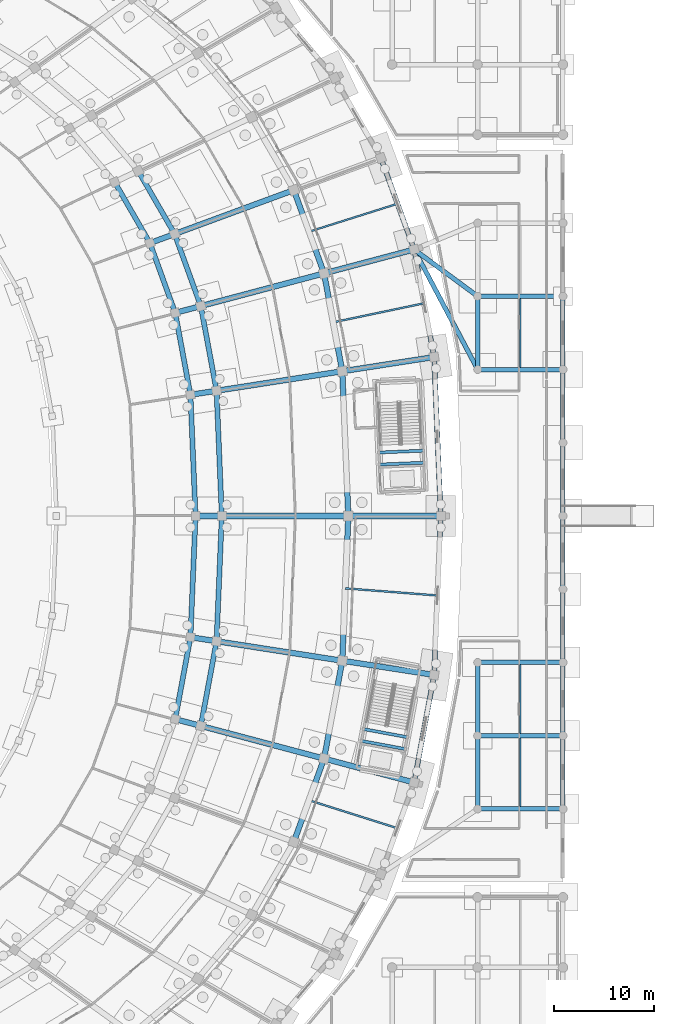
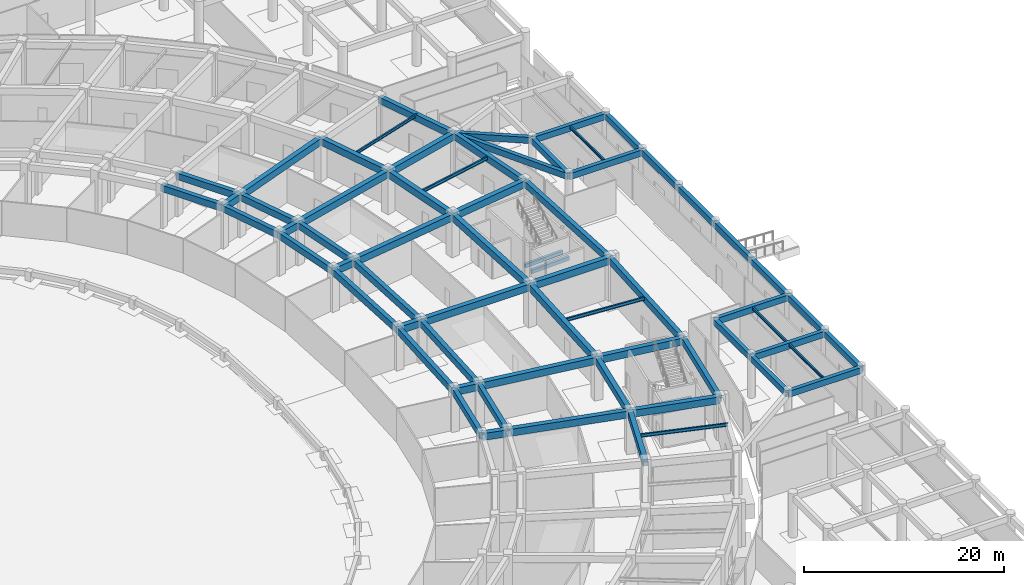
# One storey, part 32 of 88: 68 beams.
"""IFC4 building model written with IfcOpenShell, lengths in metres."""

from ifc_helpers import new_model, si_unit, direction, frame, origin, origin_2d, place, context, subcontext, project, spatial, rectangle, i_section, extrude, material, material_profile, profile_set, type_object, element, save


model = new_model("IFC4")

# Units and contexts
model_context = context("Model", 3, precision=1e-05, world=origin(), true_north=direction((0.0, 1.0)))
body_context = subcontext(model_context, "Body", "Model", "MODEL_VIEW")
ifc_project = project(units=[si_unit("LENGTHUNIT", "METRE"), si_unit("AREAUNIT", "SQUARE_METRE"), si_unit("VOLUMEUNIT", "CUBIC_METRE"), si_unit("PLANEANGLEUNIT", "RADIAN"), si_unit("MASSUNIT", "GRAM", prefix="KILO")], contexts=[model_context])

# Site, building, storey
site_placement = place(None, origin())
site = spatial("IfcSite", under=ifc_project, at=site_placement, CompositionType="ELEMENT")
building_placement = place(site_placement, origin())
building = spatial("IfcBuilding", under=site, at=building_placement, Name="Mphavela Belvedere Stadium", CompositionType="ELEMENT")
storey_placement = place(building_placement, origin())
storey = spatial("IfcBuildingStorey", under=building, at=storey_placement, Name="L00", CompositionType="ELEMENT", Elevation=0.0)

# Beams
ifc_material_1 = material(Name="Steel S355", Category="steel")
ifc_material_profile_1 = material_profile(ifc_material_1, i_section(OverallWidth=0.169921875, OverallDepth=0.360107421875, WebThickness=0.008056640625, FlangeThickness=0.0126953125, at=origin_2d()), Name="IPE 360")
ifc_profile_set_1 = profile_set([ifc_material_profile_1], Name="Steel S355")
beam_type_1 = type_object("IfcBeamType", Name="BM-JOIST-IPE360", PredefinedType="JOIST", material=ifc_profile_set_1)
beam_1_placement = place(storey_placement, frame((204.681640625, 115.3330078125, 4.969970703125), z_axis=(0.953544002003, 0.301253773826, 0.0), x_axis=(-0.301253773826, 0.953544002003, 0.0)))
element("IfcBeam", 1, at=beam_1_placement, inside=storey, type_object=beam_type_1, Name="Concourse floor joist L00-03", PredefinedType="JOIST", context=body_context, shape_type="SweptSolid", body=[
    extrude(i_section(OverallWidth=0.169921875, OverallDepth=0.360107421875, WebThickness=0.008056640625, FlangeThickness=0.0126953125, at=origin_2d()), origin(), (0.0, 0.0, 1.0), 9.259033203125),
])
for number, where, z_axis, x_axis, name in (
    (2, (225.75, 58.02490234375, 4.9599609375), (0.0, 1.0, 0.0), (-1.0, 0.0, 0.0), "East Planted Eaves Peristyle Colonnade secondary joist L00 8-2"),
    (3, (225.75, 65.324951171875, 4.9599609375), (0.0, 1.0, 0.0), (-1.0, 0.0, 0.0), "East Planted Eaves Peristyle Colonnade secondary joist L00 8-3"),
    (4, (225.75, 101.824951171875, 4.9599609375), (0.0, 1.0, 0.0), (-1.0, 0.0, 0.0), "East Planted Eaves Peristyle Colonnade secondary joist L00 8-8"),
):
    element("IfcBeam", number, at=place(storey_placement, frame(where, z_axis=z_axis, x_axis=x_axis)), inside=storey, type_object=beam_type_1, Name=name, PredefinedType="JOIST", context=body_context, shape_type="SweptSolid", body=[
        extrude(i_section(OverallWidth=0.169921875, OverallDepth=0.360107421875, WebThickness=0.008056640625, FlangeThickness=0.0126953125, at=origin_2d()), origin(), (0.0, 0.0, 1.0), 6.85009765625),
    ])
ifc_material_2 = material(Name="Steel S355", Category="steel")
ifc_material_profile_2 = material_profile(ifc_material_2, i_section(OverallWidth=0.179931640625, OverallDepth=0.39990234375, WebThickness=0.008544921875, FlangeThickness=0.013427734375, at=origin_2d()), Name="IPE 400")
ifc_profile_set_2 = profile_set([ifc_material_profile_2], Name="Steel S355")
beam_type_2 = type_object("IfcBeamType", Name="BM-JOIST-IPE400", PredefinedType="JOIST", material=ifc_profile_set_2)
beam_2_placement = place(storey_placement, frame((207.09375, 106.303466796875, 4.949951171875), z_axis=(0.978734790431, 0.205129739435, 0.0), x_axis=(-0.205129739435, 0.978734790431, 0.0)))
element("IfcBeam", 5, at=beam_2_placement, inside=storey, type_object=beam_type_2, Name="Concourse floor joist L00-02", PredefinedType="JOIST", context=body_context, shape_type="SweptSolid", body=[
    extrude(i_section(OverallWidth=0.179931640625, OverallDepth=0.39990234375, WebThickness=0.008544921875, FlangeThickness=0.013427734375, at=origin_2d()), origin(), (0.0, 0.0, 1.0), 9.26318359375),
])
beam_3_placement = place(storey_placement, frame((204.681640625, 58.6669921875, 4.949951171875), z_axis=(0.953544002003, -0.301253773826, 0.0), x_axis=(0.301253773826, 0.953544002003, 0.0)))
element("IfcBeam", 6, at=beam_3_placement, inside=storey, type_object=beam_type_2, Name="Concourse floor joist L00-46", PredefinedType="JOIST", context=body_context, shape_type="SweptSolid", body=[
    extrude(i_section(OverallWidth=0.179931640625, OverallDepth=0.39990234375, WebThickness=0.008544921875, FlangeThickness=0.013427734375, at=origin_2d()), origin(), (0.0, 0.0, 1.0), 9.259033203125),
])
beam_4_placement = place(storey_placement, frame((208.302490234375, 79.78759765625, 4.949951171875), z_axis=(0.997024166372, -0.077089634, 0.0), x_axis=(0.077089634, 0.997024166372, 0.0)))
element("IfcBeam", 7, at=beam_4_placement, inside=storey, type_object=beam_type_2, Name="Concourse floor joist L00-48", PredefinedType="JOIST", context=body_context, shape_type="SweptSolid", body=[
    extrude(i_section(OverallWidth=0.179931640625, OverallDepth=0.39990234375, WebThickness=0.008544921875, FlangeThickness=0.013427734375, at=origin_2d()), origin(), (0.0, 0.0, 1.0), 9.212646484375),
])
ifc_material_3 = material(Name="Concrete C40/50", Category="concrete")
ifc_material_profile_3 = material_profile(ifc_material_3, rectangle(XDim=0.300048828125, YDim=0.449951171875, at=origin_2d()), Name="RC 300x450")
ifc_profile_set_3 = profile_set([ifc_material_profile_3], Name="Concrete C40/50")
beam_type_3 = type_object("IfcBeamType", Name="BM-RC300x450", PredefinedType="BEAM", material=ifc_profile_set_3)
for number, where, z_axis, x_axis, name in (
    (8, (211.632080078125, 93.325439453125, 2.27490234375), (0.999122153252, 0.04189179968, 0.0), (-0.04189179968, 0.999122153252, 0.0), "Core C01 landing trimmer beam L00-1"),
    (9, (211.682373046875, 92.12646484375, 2.27490234375), (0.999122153252, 0.04189179968, 0.0), (-0.04189179968, 0.999122153252, 0.0), "Core C01 landing trimmer beam L00-2"),
    (10, (210.11376953125, 65.7646484375, 2.27490234375), (0.9831891563, -0.182589931088, 0.0), (0.182589931088, 0.9831891563, 0.0), "Core C12 landing trimmer beam L00-1"),
    (11, (209.894775390625, 64.584716796875, 2.27490234375), (0.983198960132, -0.182537132646, 0.0), (0.182537132646, 0.983198960132, 0.0), "Core C12 landing trimmer beam L00-2"),
):
    element("IfcBeam", number, at=place(storey_placement, frame(where, z_axis=z_axis, x_axis=x_axis)), inside=storey, type_object=beam_type_3, Name=name, PredefinedType="BEAM", context=body_context, shape_type="SweptSolid", body=[
        extrude(rectangle(XDim=0.300048828125, YDim=0.449951171875, at=origin_2d()), origin(), (0.0, 0.0, 1.0), 4.469970703125),
    ])
ifc_material_4 = material(Name="Concrete C40/50", Category="concrete")
ifc_material_profile_4 = material_profile(ifc_material_4, rectangle(XDim=0.449951171875, YDim=0.75, at=origin_2d()), Name="RC 450x750")
ifc_profile_set_4 = profile_set([ifc_material_profile_4], Name="Concrete C40/50")
beam_type_4 = type_object("IfcBeamType", Name="BM-RC450x750", PredefinedType="BEAM", material=ifc_profile_set_4)
beam_5_placement = place(storey_placement, frame((221.5, 57.800048828125, 4.764892578125), z_axis=(1.0, 0.0, 0.0), x_axis=(0.0, 1.0, 0.0)))
element("IfcBeam", 12, at=beam_5_placement, inside=storey, type_object=beam_type_4, Name="East Planted Eaves Peristyle Colonnade entablature beam X L00 8-2", PredefinedType="BEAM", context=body_context, shape_type="SweptSolid", body=[
    extrude(rectangle(XDim=0.449951171875, YDim=0.75, at=origin_2d()), origin(), (0.0, 0.0, 1.0), 8.5),
])
beam_6_placement = place(storey_placement, frame((221.5, 57.800048828125, 4.764892578125), z_axis=(0.0, 1.0, 0.0), x_axis=(-1.0, 0.0, 0.0)))
element("IfcBeam", 13, at=beam_6_placement, inside=storey, type_object=beam_type_4, Name="East Planted Eaves Peristyle Colonnade entablature beam Y L00 8-2", PredefinedType="BEAM", context=body_context, shape_type="SweptSolid", body=[
    extrude(rectangle(XDim=0.449951171875, YDim=0.75, at=origin_2d()), origin(), (0.0, 0.0, 1.0), 7.300048828125),
])
beam_7_placement = place(storey_placement, frame((221.5, 65.10009765625, 4.764892578125), z_axis=(1.0, 0.0, 0.0), x_axis=(0.0, 1.0, 0.0)))
element("IfcBeam", 14, at=beam_7_placement, inside=storey, type_object=beam_type_4, Name="East Planted Eaves Peristyle Colonnade entablature beam X L00 8-3", PredefinedType="BEAM", context=body_context, shape_type="SweptSolid", body=[
    extrude(rectangle(XDim=0.449951171875, YDim=0.75, at=origin_2d()), origin(), (0.0, 0.0, 1.0), 8.5),
])
beam_8_placement = place(storey_placement, frame((221.5, 65.10009765625, 4.764892578125), z_axis=(0.0, 1.0, 0.0), x_axis=(-1.0, 0.0, 0.0)))
element("IfcBeam", 15, at=beam_8_placement, inside=storey, type_object=beam_type_4, Name="East Planted Eaves Peristyle Colonnade entablature beam Y L00 8-3", PredefinedType="BEAM", context=body_context, shape_type="SweptSolid", body=[
    extrude(rectangle(XDim=0.449951171875, YDim=0.75, at=origin_2d()), origin(), (0.0, 0.0, 1.0), 7.2998046875),
])
for number, where, z_axis, x_axis, name in (
    (16, (221.5, 72.39990234375, 4.764892578125), (1.0, 0.0, 0.0), (0.0, 1.0, 0.0), "East Planted Eaves Peristyle Colonnade entablature beam X L00 8-4"),
    (17, (221.5, 101.60009765625, 4.764892578125), (1.0, 0.0, 0.0), (0.0, 1.0, 0.0), "East Planted Eaves Peristyle Colonnade entablature beam X L00 8-8"),
):
    element("IfcBeam", number, at=place(storey_placement, frame(where, z_axis=z_axis, x_axis=x_axis)), inside=storey, type_object=beam_type_4, Name=name, PredefinedType="BEAM", context=body_context, shape_type="SweptSolid", body=[
        extrude(rectangle(XDim=0.449951171875, YDim=0.75, at=origin_2d()), origin(), (0.0, 0.0, 1.0), 8.5),
    ])
beam_9_placement = place(storey_placement, frame((221.5, 101.60009765625, 4.764892578125), z_axis=(0.0, 1.0, 0.0), x_axis=(-1.0, 0.0, 0.0)))
element("IfcBeam", 18, at=beam_9_placement, inside=storey, type_object=beam_type_4, Name="East Planted Eaves Peristyle Colonnade entablature beam Y L00 8-8", PredefinedType="BEAM", context=body_context, shape_type="SweptSolid", body=[
    extrude(rectangle(XDim=0.449951171875, YDim=0.75, at=origin_2d()), origin(), (0.0, 0.0, 1.0), 7.2998046875),
])
beam_10_placement = place(storey_placement, frame((221.5, 108.89990234375, 4.764892578125), z_axis=(1.0, 0.0, 0.0), x_axis=(0.0, 1.0, 0.0)))
element("IfcBeam", 19, at=beam_10_placement, inside=storey, type_object=beam_type_4, Name="East Planted Eaves Peristyle Colonnade entablature beam X L00 8-9", PredefinedType="BEAM", context=body_context, shape_type="SweptSolid", body=[
    extrude(rectangle(XDim=0.449951171875, YDim=0.75, at=origin_2d()), origin(), (0.0, 0.0, 1.0), 8.5),
])
beam_11_placement = place(storey_placement, frame((230.0, 57.800048828125, 4.764892578125), z_axis=(0.0, 1.0, 0.0), x_axis=(-1.0, 0.0, 0.0)))
element("IfcBeam", 20, at=beam_11_placement, inside=storey, type_object=beam_type_4, Name="East Planted Eaves Peristyle Colonnade entablature beam Y L00 9-2", PredefinedType="BEAM", context=body_context, shape_type="SweptSolid", body=[
    extrude(rectangle(XDim=0.449951171875, YDim=0.75, at=origin_2d()), origin(), (0.0, 0.0, 1.0), 7.300048828125),
])
beam_12_placement = place(storey_placement, frame((230.0, 65.10009765625, 4.764892578125), z_axis=(0.0, 1.0, 0.0), x_axis=(-1.0, 0.0, 0.0)))
element("IfcBeam", 21, at=beam_12_placement, inside=storey, type_object=beam_type_4, Name="East Planted Eaves Peristyle Colonnade entablature beam Y L00 9-3", PredefinedType="BEAM", context=body_context, shape_type="SweptSolid", body=[
    extrude(rectangle(XDim=0.449951171875, YDim=0.75, at=origin_2d()), origin(), (0.0, 0.0, 1.0), 7.2998046875),
])
for number, where, z_axis, x_axis, name in (
    (22, (230.0, 72.39990234375, 4.764892578125), (0.0, 1.0, 0.0), (-1.0, 0.0, 0.0), "East Planted Eaves Peristyle Colonnade entablature beam Y L00 9-4"),
    (23, (230.0, 79.699951171875, 4.764892578125), (0.0, 1.0, 0.0), (-1.0, 0.0, 0.0), "East Planted Eaves Peristyle Colonnade entablature beam Y L00 9-5"),
    (24, (230.0, 87.0, 4.764892578125), (0.0, 1.0, 0.0), (-1.0, 0.0, 0.0), "East Planted Eaves Peristyle Colonnade entablature beam Y L00 9-6"),
    (25, (230.0, 94.300048828125, 4.764892578125), (0.0, 1.0, 0.0), (-1.0, 0.0, 0.0), "East Planted Eaves Peristyle Colonnade entablature beam Y L00 9-7"),
):
    element("IfcBeam", number, at=place(storey_placement, frame(where, z_axis=z_axis, x_axis=x_axis)), inside=storey, type_object=beam_type_4, Name=name, PredefinedType="BEAM", context=body_context, shape_type="SweptSolid", body=[
        extrude(rectangle(XDim=0.449951171875, YDim=0.75, at=origin_2d()), origin(), (0.0, 0.0, 1.0), 7.300048828125),
    ])
beam_13_placement = place(storey_placement, frame((230.0, 101.60009765625, 4.764892578125), z_axis=(0.0, 1.0, 0.0), x_axis=(-1.0, 0.0, 0.0)))
element("IfcBeam", 26, at=beam_13_placement, inside=storey, type_object=beam_type_4, Name="East Planted Eaves Peristyle Colonnade entablature beam Y L00 9-8", PredefinedType="BEAM", context=body_context, shape_type="SweptSolid", body=[
    extrude(rectangle(XDim=0.449951171875, YDim=0.75, at=origin_2d()), origin(), (0.0, 0.0, 1.0), 7.2998046875),
])
beam_14_placement = place(storey_placement, frame((221.5, 101.60009765625, 4.764892578125), z_axis=(-0.468026930874, 0.883714202657, 0.0), x_axis=(-0.883714202657, -0.468026930874, 0.0)))
element("IfcBeam", 27, at=beam_14_placement, inside=storey, type_object=beam_type_4, Name="East Planted Eaves Peristyle Colonnade bowl link girder L00-2", PredefinedType="BEAM", context=body_context, shape_type="SweptSolid", body=[
    extrude(rectangle(XDim=0.449951171875, YDim=0.75, at=origin_2d()), origin(), (0.0, 0.0, 1.0), 13.53662109375),
])
beam_15_placement = place(storey_placement, frame((221.5, 108.89990234375, 4.764892578125), z_axis=(-0.805397383999, 0.592735230814, 0.0), x_axis=(-0.592735230814, -0.805397383999, 0.0)))
element("IfcBeam", 28, at=beam_15_placement, inside=storey, type_object=beam_type_4, Name="East Planted Eaves Peristyle Colonnade bowl link girder L00-4", PredefinedType="BEAM", context=body_context, shape_type="SweptSolid", body=[
    extrude(rectangle(XDim=0.449951171875, YDim=0.75, at=origin_2d()), origin(), (0.0, 0.0, 1.0), 7.8662109375),
])
ifc_material_5 = material(Name="Concrete C40/50", Category="concrete")
ifc_material_profile_5 = material_profile(ifc_material_5, rectangle(XDim=0.5, YDim=0.800048828125, at=origin_2d()), Name="RC 500x800")
ifc_profile_set_5 = profile_set([ifc_material_profile_5], Name="Concrete C40/50")
beam_type_5 = type_object("IfcBeamType", Name="BM-RC500x800", PredefinedType="BEAM", material=ifc_profile_set_5)
beam_16_placement = place(storey_placement, frame((193.3759765625, 87.0, 4.75), z_axis=(-0.041906072647, 0.999121554705, 0.0), x_axis=(-0.999121554705, -0.041906072647, 0.0)))
element("IfcBeam", 29, at=beam_16_placement, inside=storey, type_object=beam_type_5, Name="Circumferential girder L00 R1-01", PredefinedType="BEAM", context=body_context, shape_type="SweptSolid", body=[
    extrude(rectangle(XDim=0.5, YDim=0.800048828125, at=origin_2d()), origin(), (0.0, 0.0, 1.0), 12.088623046875),
])
beam_17_placement = place(storey_placement, frame((195.9951171875, 87.0, 4.75), z_axis=(-0.04191911123, 0.999121007743, 0.0), x_axis=(-0.999121007743, -0.04191911123, 0.0)))
element("IfcBeam", 30, at=beam_17_placement, inside=storey, type_object=beam_type_5, Name="Circumferential girder L00 R2-01", PredefinedType="BEAM", context=body_context, shape_type="SweptSolid", body=[
    extrude(rectangle(XDim=0.5, YDim=0.800048828125, at=origin_2d()), origin(), (0.0, 0.0, 1.0), 12.49267578125),
])
beam_18_placement = place(storey_placement, frame((192.869384765625, 99.078125, 4.75), z_axis=(-0.182638448973, 0.983180144712, 0.0), x_axis=(-0.983180144712, -0.182638448973, 0.0)))
element("IfcBeam", 31, at=beam_18_placement, inside=storey, type_object=beam_type_5, Name="Circumferential girder L00 R1-02", PredefinedType="BEAM", context=body_context, shape_type="SweptSolid", body=[
    extrude(rectangle(XDim=0.5, YDim=0.800048828125, at=origin_2d()), origin(), (0.0, 0.0, 1.0), 8.30908203125),
])
beam_19_placement = place(storey_placement, frame((195.471435546875, 99.481689453125, 4.75), z_axis=(-0.182614573179, 0.983184579651, 0.0), x_axis=(-0.983184579651, -0.182614573179, 0.0)))
element("IfcBeam", 32, at=beam_19_placement, inside=storey, type_object=beam_type_5, Name="Circumferential girder L00 R2-02", PredefinedType="BEAM", context=body_context, shape_type="SweptSolid", body=[
    extrude(rectangle(XDim=0.5, YDim=0.800048828125, at=origin_2d()), origin(), (0.0, 0.0, 1.0), 8.5869140625),
])
beam_20_placement = place(storey_placement, frame((191.351806640625, 107.24755859375, 4.75), z_axis=(-0.341037858277, 0.940049562109, 0.0), x_axis=(-0.940049562109, -0.341037858277, 0.0)))
element("IfcBeam", 33, at=beam_20_placement, inside=storey, type_object=beam_type_5, Name="Circumferential girder L00 R1-03", PredefinedType="BEAM", context=body_context, shape_type="SweptSolid", body=[
    extrude(rectangle(XDim=0.5, YDim=0.800048828125, at=origin_2d()), origin(), (0.0, 0.0, 1.0), 7.39501953125),
])
beam_21_placement = place(storey_placement, frame((193.9033203125, 107.92431640625, 4.75), z_axis=(-0.341037560831, 0.940049670019, 0.0), x_axis=(-0.940049670019, -0.341037560831, 0.0)))
element("IfcBeam", 34, at=beam_21_placement, inside=storey, type_object=beam_type_5, Name="Circumferential girder L00 R2-03", PredefinedType="BEAM", context=body_context, shape_type="SweptSolid", body=[
    extrude(rectangle(XDim=0.5, YDim=0.800048828125, at=origin_2d()), origin(), (0.0, 0.0, 1.0), 7.64208984375),
])
beam_22_placement = place(storey_placement, frame((188.829833984375, 114.19921875, 4.75), z_axis=(-0.500559513075, 0.86570212768, 0.0), x_axis=(-0.86570212768, -0.500559513075, 0.0)))
element("IfcBeam", 35, at=beam_22_placement, inside=storey, type_object=beam_type_5, Name="Circumferential girder L00 R1-04", PredefinedType="BEAM", context=body_context, shape_type="SweptSolid", body=[
    extrude(rectangle(XDim=0.5, YDim=0.800048828125, at=origin_2d()), origin(), (0.0, 0.0, 1.0), 7.02587890625),
])
beam_23_placement = place(storey_placement, frame((191.297119140625, 115.108154296875, 4.75), z_axis=(-0.500568314135, 0.86569703874, 0.0), x_axis=(-0.86569703874, -0.500568314135, 0.0)))
element("IfcBeam", 36, at=beam_23_placement, inside=storey, type_object=beam_type_5, Name="Circumferential girder L00 R2-04", PredefinedType="BEAM", context=body_context, shape_type="SweptSolid", body=[
    extrude(rectangle(XDim=0.5, YDim=0.800048828125, at=origin_2d()), origin(), (0.0, 0.0, 1.0), 7.2607421875),
])
beam_24_placement = place(storey_placement, frame((191.351806640625, 66.75244140625, 4.75), z_axis=(0.182638448973, 0.983180144712, 0.0), x_axis=(-0.983180144712, 0.182638448973, 0.0)))
element("IfcBeam", 37, at=beam_24_placement, inside=storey, type_object=beam_type_5, Name="Circumferential girder L00 R1-47", PredefinedType="BEAM", context=body_context, shape_type="SweptSolid", body=[
    extrude(rectangle(XDim=0.5, YDim=0.800048828125, at=origin_2d()), origin(), (0.0, 0.0, 1.0), 8.30908203125),
])
beam_25_placement = place(storey_placement, frame((193.9033203125, 66.07568359375, 4.75), z_axis=(0.182614573179, 0.983184579651, 0.0), x_axis=(-0.983184579651, 0.182614573179, 0.0)))
element("IfcBeam", 38, at=beam_25_placement, inside=storey, type_object=beam_type_5, Name="Circumferential girder L00 R2-47", PredefinedType="BEAM", context=body_context, shape_type="SweptSolid", body=[
    extrude(rectangle(XDim=0.5, YDim=0.800048828125, at=origin_2d()), origin(), (0.0, 0.0, 1.0), 8.5869140625),
])
beam_26_placement = place(storey_placement, frame((192.869384765625, 74.921875, 4.75), z_axis=(0.041906072647, 0.999121554705, 0.0), x_axis=(-0.999121554705, 0.041906072647, 0.0)))
element("IfcBeam", 39, at=beam_26_placement, inside=storey, type_object=beam_type_5, Name="Circumferential girder L00 R1-48", PredefinedType="BEAM", context=body_context, shape_type="SweptSolid", body=[
    extrude(rectangle(XDim=0.5, YDim=0.800048828125, at=origin_2d()), origin(), (0.0, 0.0, 1.0), 12.088623046875),
])
beam_27_placement = place(storey_placement, frame((195.471435546875, 74.518310546875, 4.75), z_axis=(0.04191911123, 0.999121007743, 0.0), x_axis=(-0.999121007743, 0.04191911123, 0.0)))
element("IfcBeam", 40, at=beam_27_placement, inside=storey, type_object=beam_type_5, Name="Circumferential girder L00 R2-48", PredefinedType="BEAM", context=body_context, shape_type="SweptSolid", body=[
    extrude(rectangle(XDim=0.5, YDim=0.800048828125, at=origin_2d()), origin(), (0.0, 0.0, 1.0), 12.49267578125),
])
ifc_material_6 = material(Name="Concrete C40/50", Category="concrete")
ifc_material_profile_6 = material_profile(ifc_material_6, rectangle(XDim=0.550048828125, YDim=0.85009765625, at=origin_2d()), Name="RC 550x850")
ifc_profile_set_6 = profile_set([ifc_material_profile_6], Name="Concrete C40/50")
beam_type_6 = type_object("IfcBeamType", Name="BM-RC550x850", PredefinedType="BEAM", material=ifc_profile_set_6)
beam_28_placement = place(storey_placement, frame((208.60498046875, 87.0, 4.72509765625), z_axis=(-0.041903450766, 0.99912166467, 0.0), x_axis=(-0.99912166467, -0.041903450766, 0.0)))
element("IfcBeam", 41, at=beam_28_placement, inside=storey, type_object=beam_type_6, Name="Circumferential girder L00 R3-01", PredefinedType="BEAM", context=body_context, shape_type="SweptSolid", body=[
    extrude(rectangle(XDim=0.550048828125, YDim=0.85009765625, at=origin_2d()), origin(), (0.0, 0.0, 1.0), 14.4375),
])
beam_29_placement = place(storey_placement, frame((193.3759765625, 87.0, 4.72509765625), z_axis=(1.0, 0.0, 0.0), x_axis=(0.0, 1.0, 0.0)))
element("IfcBeam", 42, at=beam_29_placement, inside=storey, type_object=beam_type_6, Name="Radial concourse girder L00 R1R2-01", PredefinedType="BEAM", context=body_context, shape_type="SweptSolid", body=[
    extrude(rectangle(XDim=0.550048828125, YDim=0.85009765625, at=origin_2d()), origin(), (0.0, 0.0, 1.0), 2.619140625),
])
beam_30_placement = place(storey_placement, frame((195.9951171875, 87.0, 4.72509765625), z_axis=(1.0, 0.0, 0.0), x_axis=(0.0, 1.0, 0.0)))
element("IfcBeam", 43, at=beam_30_placement, inside=storey, type_object=beam_type_6, Name="Radial concourse girder L00 R2R3-01", PredefinedType="BEAM", context=body_context, shape_type="SweptSolid", body=[
    extrude(rectangle(XDim=0.550048828125, YDim=0.85009765625, at=origin_2d()), origin(), (0.0, 0.0, 1.0), 12.60986328125),
])
beam_31_placement = place(storey_placement, frame((208.60498046875, 87.0, 4.72509765625), z_axis=(1.0, 0.0, 0.0), x_axis=(0.0, 1.0, 0.0)))
element("IfcBeam", 44, at=beam_31_placement, inside=storey, type_object=beam_type_6, Name="Radial concourse girder L00 R3R4-01", PredefinedType="BEAM", context=body_context, shape_type="SweptSolid", body=[
    extrude(rectangle(XDim=0.550048828125, YDim=0.85009765625, at=origin_2d()), origin(), (0.0, 0.0, 1.0), 9.215087890625),
])
beam_32_placement = place(storey_placement, frame((208.0, 101.4248046875, 4.72509765625), z_axis=(-0.182638056683, 0.983180217585, 0.0), x_axis=(-0.983180217585, -0.182638056683, 0.0)))
element("IfcBeam", 45, at=beam_32_placement, inside=storey, type_object=beam_type_6, Name="Circumferential girder L00 R3-02", PredefinedType="BEAM", context=body_context, shape_type="SweptSolid", body=[
    extrude(rectangle(XDim=0.550048828125, YDim=0.85009765625, at=origin_2d()), origin(), (0.0, 0.0, 1.0), 9.924072265625),
])
beam_33_placement = place(storey_placement, frame((192.869384765625, 99.078125, 4.72509765625), z_axis=(0.988185527241, 0.153262401626, 0.0), x_axis=(-0.153262401626, 0.988185527241, 0.0)))
element("IfcBeam", 46, at=beam_33_placement, inside=storey, type_object=beam_type_6, Name="Radial concourse girder L00 R1R2-02", PredefinedType="BEAM", context=body_context, shape_type="SweptSolid", body=[
    extrude(rectangle(XDim=0.550048828125, YDim=0.85009765625, at=origin_2d()), origin(), (0.0, 0.0, 1.0), 2.633056640625),
])
beam_34_placement = place(storey_placement, frame((195.471435546875, 99.481689453125, 4.72509765625), z_axis=(0.988185521494, 0.153262438677, 0.0), x_axis=(-0.153262438677, 0.988185521494, 0.0)))
element("IfcBeam", 47, at=beam_34_placement, inside=storey, type_object=beam_type_6, Name="Radial concourse girder L00 R2R3-02", PredefinedType="BEAM", context=body_context, shape_type="SweptSolid", body=[
    extrude(rectangle(XDim=0.550048828125, YDim=0.85009765625, at=origin_2d()), origin(), (0.0, 0.0, 1.0), 12.678466796875),
])
beam_35_placement = place(storey_placement, frame((208.0, 101.4248046875, 4.72509765625), z_axis=(0.988182369303, 0.153282761586, 0.0), x_axis=(-0.153282761586, 0.988182369303, 0.0)))
element("IfcBeam", 48, at=beam_35_placement, inside=storey, type_object=beam_type_6, Name="Radial concourse girder L00 R3R4-02", PredefinedType="BEAM", context=body_context, shape_type="SweptSolid", body=[
    extrude(rectangle(XDim=0.550048828125, YDim=0.85009765625, at=origin_2d()), origin(), (0.0, 0.0, 1.0), 9.264892578125),
])
beam_36_placement = place(storey_placement, frame((206.1875, 111.181884765625, 4.72509765625), z_axis=(-0.341030504348, 0.940052229987, 0.0), x_axis=(-0.940052229987, -0.341030504348, 0.0)))
element("IfcBeam", 49, at=beam_36_placement, inside=storey, type_object=beam_type_6, Name="Circumferential girder L00 R3-03", PredefinedType="BEAM", context=body_context, shape_type="SweptSolid", body=[
    extrude(rectangle(XDim=0.550048828125, YDim=0.85009765625, at=origin_2d()), origin(), (0.0, 0.0, 1.0), 8.83203125),
])
beam_37_placement = place(storey_placement, frame((191.351806640625, 107.24755859375, 4.72509765625), z_axis=(0.966577929986, 0.25637298076, 0.0), x_axis=(-0.25637298076, 0.966577929986, 0.0)))
element("IfcBeam", 50, at=beam_37_placement, inside=storey, type_object=beam_type_6, Name="Radial concourse girder L00 R1R2-03", PredefinedType="BEAM", context=body_context, shape_type="SweptSolid", body=[
    extrude(rectangle(XDim=0.550048828125, YDim=0.85009765625, at=origin_2d()), origin(), (0.0, 0.0, 1.0), 2.6396484375),
])
beam_38_placement = place(storey_placement, frame((193.9033203125, 107.92431640625, 4.72509765625), z_axis=(0.966590800726, 0.256324450554, 0.0), x_axis=(-0.256324450554, 0.966590800726, 0.0)))
element("IfcBeam", 51, at=beam_38_placement, inside=storey, type_object=beam_type_6, Name="Radial concourse girder L00 R2R3-03", PredefinedType="BEAM", context=body_context, shape_type="SweptSolid", body=[
    extrude(rectangle(XDim=0.550048828125, YDim=0.85009765625, at=origin_2d()), origin(), (0.0, 0.0, 1.0), 12.708740234375),
])
beam_39_placement = place(storey_placement, frame((206.1875, 111.181884765625, 4.72509765625), z_axis=(0.966589609073, 0.256328944196, 0.0), x_axis=(-0.256328944196, 0.966589609073, 0.0)))
element("IfcBeam", 52, at=beam_39_placement, inside=storey, type_object=beam_type_6, Name="Radial concourse girder L00 R3R4-03", PredefinedType="BEAM", context=body_context, shape_type="SweptSolid", body=[
    extrude(rectangle(XDim=0.550048828125, YDim=0.85009765625, at=origin_2d()), origin(), (0.0, 0.0, 1.0), 9.287353515625),
])
beam_40_placement = place(storey_placement, frame((188.829833984375, 114.19921875, 4.72509765625), z_axis=(0.938351042866, 0.345683844507, 0.0), x_axis=(-0.345683844507, 0.938351042866, 0.0)))
element("IfcBeam", 53, at=beam_40_placement, inside=storey, type_object=beam_type_6, Name="Radial concourse girder L00 R1R2-04", PredefinedType="BEAM", context=body_context, shape_type="SweptSolid", body=[
    extrude(rectangle(XDim=0.550048828125, YDim=0.85009765625, at=origin_2d()), origin(), (0.0, 0.0, 1.0), 2.62939453125),
])
beam_41_placement = place(storey_placement, frame((191.297119140625, 115.108154296875, 4.72509765625), z_axis=(0.938344104636, 0.345702677593, 0.0), x_axis=(-0.345702677593, 0.938344104636, 0.0)))
element("IfcBeam", 54, at=beam_41_placement, inside=storey, type_object=beam_type_6, Name="Radial concourse girder L00 R2R3-04", PredefinedType="BEAM", context=body_context, shape_type="SweptSolid", body=[
    extrude(rectangle(XDim=0.550048828125, YDim=0.85009765625, at=origin_2d()), origin(), (0.0, 0.0, 1.0), 12.658935546875),
])
beam_42_placement = place(storey_placement, frame((203.175537109375, 54.515625, 4.72509765625), z_axis=(0.341030504348, 0.940052229987, 0.0), x_axis=(-0.940052229987, 0.341030504348, 0.0)))
element("IfcBeam", 55, at=beam_42_placement, inside=storey, type_object=beam_type_6, Name="Circumferential girder L00 R3-46", PredefinedType="BEAM", context=body_context, shape_type="SweptSolid", body=[
    extrude(rectangle(XDim=0.550048828125, YDim=0.85009765625, at=origin_2d()), origin(), (0.0, 0.0, 1.0), 8.83203125),
])
beam_43_placement = place(storey_placement, frame((206.1875, 62.818115234375, 4.72509765625), z_axis=(0.182638056683, 0.983180217585, 0.0), x_axis=(-0.983180217585, 0.182638056683, 0.0)))
element("IfcBeam", 56, at=beam_43_placement, inside=storey, type_object=beam_type_6, Name="Circumferential girder L00 R3-47", PredefinedType="BEAM", context=body_context, shape_type="SweptSolid", body=[
    extrude(rectangle(XDim=0.550048828125, YDim=0.85009765625, at=origin_2d()), origin(), (0.0, 0.0, 1.0), 9.924072265625),
])
beam_44_placement = place(storey_placement, frame((191.351806640625, 66.75244140625, 4.72509765625), z_axis=(0.966577929986, -0.25637298076, 0.0), x_axis=(0.25637298076, 0.966577929986, 0.0)))
element("IfcBeam", 57, at=beam_44_placement, inside=storey, type_object=beam_type_6, Name="Radial concourse girder L00 R1R2-47", PredefinedType="BEAM", context=body_context, shape_type="SweptSolid", body=[
    extrude(rectangle(XDim=0.550048828125, YDim=0.85009765625, at=origin_2d()), origin(), (0.0, 0.0, 1.0), 2.6396484375),
])
beam_45_placement = place(storey_placement, frame((193.9033203125, 66.07568359375, 4.72509765625), z_axis=(0.966590800726, -0.256324450554, 0.0), x_axis=(0.256324450554, 0.966590800726, 0.0)))
element("IfcBeam", 58, at=beam_45_placement, inside=storey, type_object=beam_type_6, Name="Radial concourse girder L00 R2R3-47", PredefinedType="BEAM", context=body_context, shape_type="SweptSolid", body=[
    extrude(rectangle(XDim=0.550048828125, YDim=0.85009765625, at=origin_2d()), origin(), (0.0, 0.0, 1.0), 12.708740234375),
])
beam_46_placement = place(storey_placement, frame((206.1875, 62.818115234375, 4.72509765625), z_axis=(0.966589609073, -0.256328944196, 0.0), x_axis=(0.256328944196, 0.966589609073, 0.0)))
element("IfcBeam", 59, at=beam_46_placement, inside=storey, type_object=beam_type_6, Name="Radial concourse girder L00 R3R4-47", PredefinedType="BEAM", context=body_context, shape_type="SweptSolid", body=[
    extrude(rectangle(XDim=0.550048828125, YDim=0.85009765625, at=origin_2d()), origin(), (0.0, 0.0, 1.0), 9.287353515625),
])
beam_47_placement = place(storey_placement, frame((208.0, 72.5751953125, 4.72509765625), z_axis=(0.041903450766, 0.99912166467, 0.0), x_axis=(-0.99912166467, 0.041903450766, 0.0)))
element("IfcBeam", 60, at=beam_47_placement, inside=storey, type_object=beam_type_6, Name="Circumferential girder L00 R3-48", PredefinedType="BEAM", context=body_context, shape_type="SweptSolid", body=[
    extrude(rectangle(XDim=0.550048828125, YDim=0.85009765625, at=origin_2d()), origin(), (0.0, 0.0, 1.0), 14.4375),
])
beam_48_placement = place(storey_placement, frame((192.869384765625, 74.921875, 4.72509765625), z_axis=(0.988185527241, -0.153262401626, 0.0), x_axis=(0.153262401626, 0.988185527241, 0.0)))
element("IfcBeam", 61, at=beam_48_placement, inside=storey, type_object=beam_type_6, Name="Radial concourse girder L00 R1R2-48", PredefinedType="BEAM", context=body_context, shape_type="SweptSolid", body=[
    extrude(rectangle(XDim=0.550048828125, YDim=0.85009765625, at=origin_2d()), origin(), (0.0, 0.0, 1.0), 2.633056640625),
])
beam_49_placement = place(storey_placement, frame((195.471435546875, 74.518310546875, 4.72509765625), z_axis=(0.988185521494, -0.153262438677, 0.0), x_axis=(0.153262438677, 0.988185521494, 0.0)))
element("IfcBeam", 62, at=beam_49_placement, inside=storey, type_object=beam_type_6, Name="Radial concourse girder L00 R2R3-48", PredefinedType="BEAM", context=body_context, shape_type="SweptSolid", body=[
    extrude(rectangle(XDim=0.550048828125, YDim=0.85009765625, at=origin_2d()), origin(), (0.0, 0.0, 1.0), 12.678466796875),
])
beam_50_placement = place(storey_placement, frame((208.0, 72.5751953125, 4.72509765625), z_axis=(0.988182369303, -0.153282761586, 0.0), x_axis=(0.153282761586, 0.988182369303, 0.0)))
element("IfcBeam", 63, at=beam_50_placement, inside=storey, type_object=beam_type_6, Name="Radial concourse girder L00 R3R4-48", PredefinedType="BEAM", context=body_context, shape_type="SweptSolid", body=[
    extrude(rectangle(XDim=0.550048828125, YDim=0.85009765625, at=origin_2d()), origin(), (0.0, 0.0, 1.0), 9.264892578125),
])
ifc_material_7 = material(Name="Concrete C40/50", Category="concrete")
ifc_material_profile_7 = material_profile(ifc_material_7, rectangle(XDim=0.5, YDim=0.800048828125, at=origin_2d()), Name="RC 500x800")
ifc_profile_set_7 = profile_set([ifc_material_profile_7], Name="Concrete C40/50")
beam_type_7 = type_object("IfcBeamType", Name="BM-SPANDREL-800", PredefinedType="SPANDREL", material=ifc_profile_set_7)
beam_51_placement = place(storey_placement, frame((217.820068359375, 87.0, 4.75), z_axis=(-0.041903963155, 0.999121643181, 0.0), x_axis=(-0.999121643181, -0.041903963155, 0.0)))
element("IfcBeam", 64, at=beam_51_placement, inside=storey, type_object=beam_type_7, Name="Circumferential girder L00 R4-01", PredefinedType="SPANDREL", context=body_context, shape_type="SweptSolid", body=[
    extrude(rectangle(XDim=0.5, YDim=0.800048828125, at=origin_2d()), origin(), (0.0, 0.0, 1.0), 15.85888671875),
])
beam_52_placement = place(storey_placement, frame((217.155517578125, 102.844970703125, 4.75), z_axis=(-0.18264260648, 0.983179372393, 0.0), x_axis=(-0.983179372393, -0.18264260648, 0.0)))
element("IfcBeam", 65, at=beam_52_placement, inside=storey, type_object=beam_type_7, Name="Circumferential girder L00 R4-02", PredefinedType="SPANDREL", context=body_context, shape_type="SweptSolid", body=[
    extrude(rectangle(XDim=0.5, YDim=0.800048828125, at=origin_2d()), origin(), (0.0, 0.0, 1.0), 10.90087890625),
])
beam_53_placement = place(storey_placement, frame((215.16455078125, 113.5625, 4.75), z_axis=(-0.341017570596, 0.94005692197, 0.0), x_axis=(-0.94005692197, -0.341017570596, 0.0)))
element("IfcBeam", 66, at=beam_53_placement, inside=storey, type_object=beam_type_7, Name="Circumferential girder L00 R4-03", PredefinedType="SPANDREL", context=body_context, shape_type="SweptSolid", body=[
    extrude(rectangle(XDim=0.5, YDim=0.800048828125, at=origin_2d()), origin(), (0.0, 0.0, 1.0), 9.701416015625),
])
beam_54_placement = place(storey_placement, frame((215.16455078125, 60.4375, 4.75), z_axis=(0.18264260648, 0.983179372393, 0.0), x_axis=(-0.983179372393, 0.18264260648, 0.0)))
element("IfcBeam", 67, at=beam_54_placement, inside=storey, type_object=beam_type_7, Name="Circumferential girder L00 R4-47", PredefinedType="SPANDREL", context=body_context, shape_type="SweptSolid", body=[
    extrude(rectangle(XDim=0.5, YDim=0.800048828125, at=origin_2d()), origin(), (0.0, 0.0, 1.0), 10.90087890625),
])
beam_55_placement = place(storey_placement, frame((217.155517578125, 71.155029296875, 4.75), z_axis=(0.041903963155, 0.999121643181, 0.0), x_axis=(-0.999121643181, 0.041903963155, 0.0)))
element("IfcBeam", 68, at=beam_55_placement, inside=storey, type_object=beam_type_7, Name="Circumferential girder L00 R4-48", PredefinedType="SPANDREL", context=body_context, shape_type="SweptSolid", body=[
    extrude(rectangle(XDim=0.5, YDim=0.800048828125, at=origin_2d()), origin(), (0.0, 0.0, 1.0), 15.85888671875),
])

save(model, "model.ifc")
